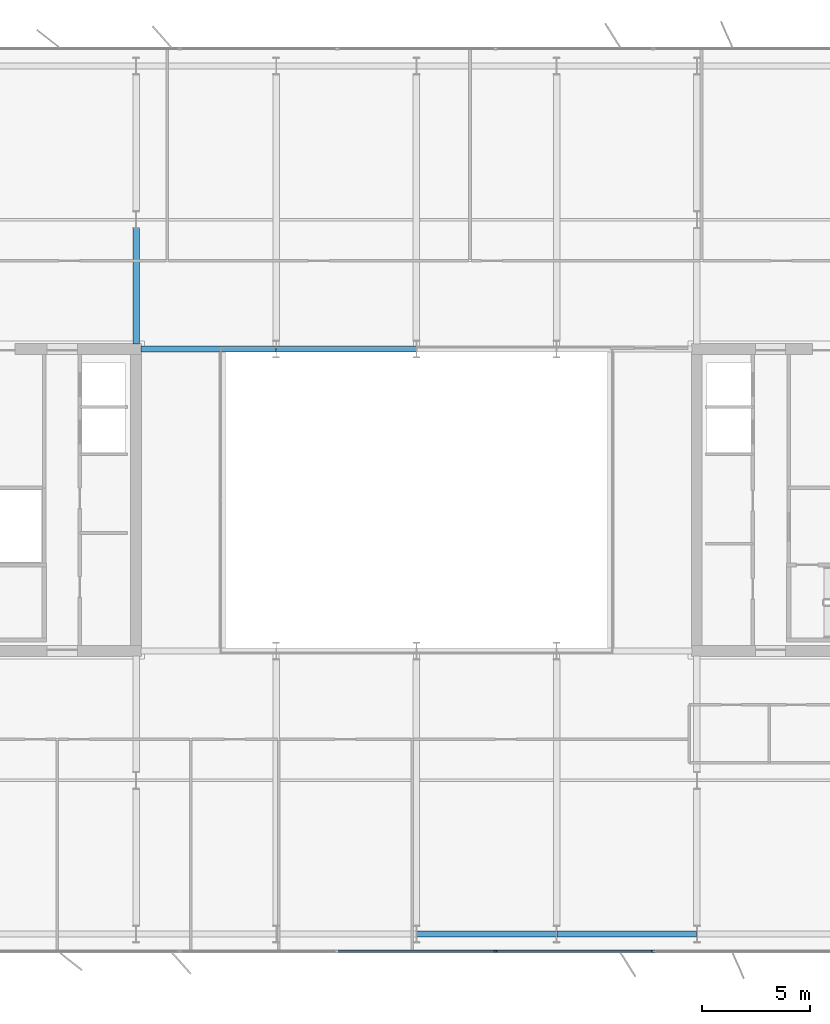
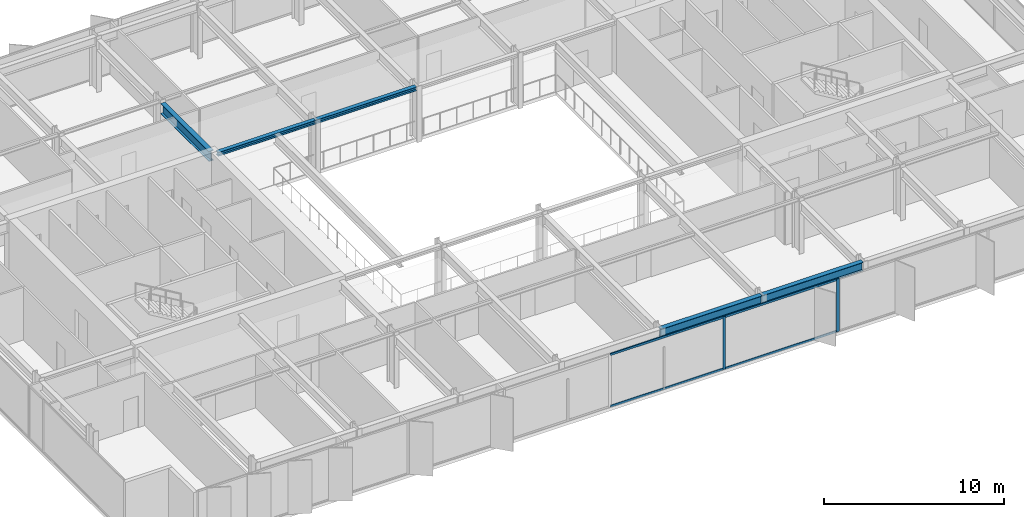
# One storey, part 6 of 23: 6 members, 5 beams, 1 element without a shape of its own.
"""IFC4 building model written with IfcOpenShell, lengths in metres."""

import ifcopenshell
import ifcopenshell.guid

model = None  # the IFC model being written
_history = None  # IfcOwnerHistory: only IFC2X3 demands one
_inside = {}  # id of a spatial element -> (the spatial element, [elements in it])
_under = {}  # id of a project, library or spatial element -> (it, [spatial elements below it])
_declared = {}  # id of a project -> (the project, [libraries it declares])
_typed = {}  # id of a type object -> (the type object, [elements of that type])
_made_of = {}  # id of a material, layer set ... -> (it, [elements and type objects made of it])


def new_model(schema):
    """Start an empty IFC model of exactly this schema.

    Asked for "IFC4X3", IfcOpenShell would pick the latest addendum, in which some entities
    have other attributes; the version numbers below select the first issue.
    IFC2X3 requires an IfcOwnerHistory on every rooted entity: one is made here for all.
    """
    global model, _history
    if schema == "IFC4X3":
        model = ifcopenshell.file(schema_version=(4, 3, 0, 0))
    else:
        model = ifcopenshell.file(schema=schema)
    _inside.clear()
    _under.clear()
    _declared.clear()
    _typed.clear()
    _made_of.clear()
    _history = None
    if model.schema == "IFC2X3":
        org = make("IfcOrganization", Name="unknown")
        user = make(
            "IfcPersonAndOrganization",
            ThePerson=make("IfcPerson", FamilyName="unknown"),
            TheOrganization=org,
        )
        app = make(
            "IfcApplication",
            ApplicationDeveloper=org,
            Version="unknown",
            ApplicationFullName="unknown",
            ApplicationIdentifier="unknown",
        )
        _history = make(
            "IfcOwnerHistory",
            OwningUser=user,
            OwningApplication=app,
            ChangeAction="ADDED",
            CreationDate=0,
        )
    return model


def make(cls, **values):
    """One entity of the class cls with the attributes given. An attribute that is None is left unset."""
    return model.create_entity(
        cls, **{name: value for name, value in values.items() if value is not None}
    )


def rooted(cls, **values):
    """An entity with a GlobalId (a new one), such as an element, a storey or a relation."""
    return make(cls, GlobalId=ifcopenshell.guid.new(), OwnerHistory=_history, **values)


def si_unit(unit_type, name, prefix=None):
    """IfcSIUnit, for example si_unit("LENGTHUNIT", "METRE", prefix="MILLI")."""
    return make("IfcSIUnit", UnitType=unit_type, Prefix=prefix, Name=name)


def assignment(units):
    """IfcUnitAssignment: the units of a project."""
    return None if units is None else make("IfcUnitAssignment", Units=units)


def point(xyz):
    """IfcCartesianPoint."""
    return None if xyz is None else make("IfcCartesianPoint", Coordinates=xyz)


def direction(xyz):
    """IfcDirection."""
    return None if xyz is None else make("IfcDirection", DirectionRatios=xyz)


def frame(location, z_axis=None, x_axis=None):
    """IfcAxis2Placement3D, a coordinate frame: its origin and axes. An axis left out is left unset."""
    return make(
        "IfcAxis2Placement3D",
        Location=point(location),
        Axis=direction(z_axis),
        RefDirection=direction(x_axis),
    )


def frame_2d(location, x_axis=None):
    """IfcAxis2Placement2D, a coordinate frame in the plane: its origin and x axis."""
    return make(
        "IfcAxis2Placement2D", Location=point(location), RefDirection=direction(x_axis)
    )


def origin():
    """The frame at (0, 0, 0) with its axes left unset."""
    return frame((0.0, 0.0, 0.0))


def origin_2d():
    """The frame at (0, 0) in the plane with its x axis left unset."""
    return frame_2d((0.0, 0.0))


def place(relative_to, where):
    """IfcLocalPlacement: puts the frame where relative to a parent placement (None: the world)."""
    return make(
        "IfcLocalPlacement", PlacementRelTo=relative_to, RelativePlacement=where
    )


def context(
    kind, dimensions, precision=None, world=None, true_north=None, identifier=None
):
    """IfcGeometricRepresentationContext, for example the 3D "Model" context."""
    return make(
        "IfcGeometricRepresentationContext",
        ContextIdentifier=identifier,
        ContextType=kind,
        CoordinateSpaceDimension=dimensions,
        Precision=precision,
        WorldCoordinateSystem=world,
        TrueNorth=true_north,
    )


def subcontext(parent, identifier, kind, view, scale=None):
    """IfcGeometricRepresentationSubContext, for example "Body" below "Model"."""
    return make(
        "IfcGeometricRepresentationSubContext",
        ContextIdentifier=identifier,
        ContextType=kind,
        ParentContext=parent,
        TargetScale=scale,
        TargetView=view,
    )


def project(units=None, contexts=None):
    """IfcProject with its units and contexts."""
    return rooted(
        "IfcProject",
        Name="project",
        RepresentationContexts=contexts,
        UnitsInContext=assignment(units),
    )


def spatial(cls, under=None, at=None, **own):
    """A site, building, storey or space (cls), placed at a placement, below another one or the project."""
    s = rooted(cls, ObjectPlacement=at, **own)
    if under is not None:
        _under.setdefault(under.id(), (under, []))[1].append(s)
    return s


def profile(cls, at=None, kind="AREA", **sizes):
    """A parametric profile (cls). Its sizes go by their IFC names, for example OverallWidth=200.0."""
    return make(cls, ProfileType=kind, Position=at, **sizes)


def rectangle(**sizes):
    """IfcRectangleProfileDef."""
    return profile("IfcRectangleProfileDef", **sizes)


def i_section(**sizes):
    """IfcIShapeProfileDef."""
    return profile("IfcIShapeProfileDef", **sizes)


def extrude(swept, where, along, depth):
    """IfcExtrudedAreaSolid: the profile swept, set in the frame where, extruded along a direction by depth."""
    return make(
        "IfcExtrudedAreaSolid",
        SweptArea=swept,
        Position=where,
        ExtrudedDirection=direction(along),
        Depth=depth,
    )


def shape(context_of_items, identifier, shape_type, items):
    """IfcShapeRepresentation: the items that make up one representation, for example the "Body"."""
    return make(
        "IfcShapeRepresentation",
        ContextOfItems=context_of_items,
        RepresentationIdentifier=identifier,
        RepresentationType=shape_type,
        Items=items,
    )


def material(Name=None, Category=None):
    """IfcMaterial."""
    return make("IfcMaterial", Name=Name, Category=Category)


def layer(
    of_material, thickness, ventilated=None, Name=None, Category=None, Priority=None
):
    """IfcMaterialLayer: one layer of a wall or slab, of a material (None: an air gap)."""
    return make(
        "IfcMaterialLayer",
        Material=of_material,
        LayerThickness=thickness,
        IsVentilated=ventilated,
        Name=Name,
        Category=Category,
        Priority=Priority,
    )


def layer_set(layers, Name=None):
    """IfcMaterialLayerSet."""
    return make("IfcMaterialLayerSet", MaterialLayers=layers, LayerSetName=Name)


def material_profile(
    of_material, cross_section, Name=None, Category=None, Priority=None
):
    """IfcMaterialProfile: a cross section and its material."""
    return make(
        "IfcMaterialProfile",
        Name=Name,
        Material=of_material,
        Profile=cross_section,
        Priority=Priority,
        Category=Category,
    )


def profile_set(profiles, Name=None, composite=None):
    """IfcMaterialProfileSet."""
    return make(
        "IfcMaterialProfileSet",
        Name=Name,
        MaterialProfiles=profiles,
        CompositeProfile=composite,
    )


def made_of(thing, what):
    """Note that an element or type object is made of a material, layer set ...; save() writes the relation."""
    if what is not None:
        _made_of.setdefault(what.id(), (what, []))[1].append(thing)
    return thing


def type_object(cls, material=None, **own):
    """A type object (cls), such as IfcWallType, which elements share."""
    return made_of(rooted(cls, **own), material)


def element(
    cls,
    number,
    at=None,
    inside=None,
    cuts=None,
    type_object=None,
    material=None,
    context=None,
    identifier="Body",
    shape_type=None,
    held_by="IfcProductDefinitionShape",
    body=None,
    shapes=None,
    **own,
):
    """One element of the class cls, such as IfcWall. Its Tag is "e" and its number.

    at: its placement. inside: the storey or other place that contains it. cuts: it is an
    opening in that element (IfcRelVoidsElement). A single representation is given by context,
    identifier, shape_type and body (its items); several are given by shapes. held_by: the class
    of the entity that holds the representations. save() writes the other relations.
    """
    e = rooted(cls, Tag="e%d" % number, ObjectPlacement=at, **own)
    if body is not None:
        shapes = [shape(context, identifier, shape_type, body)]
    if shapes is not None:
        e.Representation = make(held_by, Representations=shapes)
    if inside is not None:
        _inside.setdefault(inside.id(), (inside, []))[1].append(e)
    if cuts is not None:
        rooted(
            "IfcRelVoidsElement", RelatingBuildingElement=cuts, RelatedOpeningElement=e
        )
    if type_object is not None:
        _typed.setdefault(type_object.id(), (type_object, []))[1].append(e)
    return made_of(e, material)


def aggregate(whole, parts):
    """IfcRelAggregates: a whole, such as a stair, and the parts it consists of."""
    return rooted("IfcRelAggregates", RelatingObject=whole, RelatedObjects=parts)


def save(model, path):
    """Write the relations noted so far, then the file.

    IfcRelAggregates (storeys below a building ...), IfcRelContainedInSpatialStructure (elements
    in a storey), IfcRelDefinesByType, IfcRelAssociatesMaterial and IfcRelDeclares: one each for
    every whole, place, type object, material and project.
    """
    for whole, parts in _under.values():
        aggregate(whole, parts)
    for where, things in _inside.values():
        rooted(
            "IfcRelContainedInSpatialStructure",
            RelatedElements=things,
            RelatingStructure=where,
        )
    for kind, things in _typed.values():
        rooted("IfcRelDefinesByType", RelatedObjects=things, RelatingType=kind)
    for what, things in _made_of.values():
        rooted("IfcRelAssociatesMaterial", RelatedObjects=things, RelatingMaterial=what)
    for by, libraries in _declared.values():
        rooted("IfcRelDeclares", RelatingContext=by, RelatedDefinitions=libraries)
    model.write(path)


model = new_model("IFC4")

# Units and contexts
model_context = context("Model", 3, precision=1e-05, world=origin(), true_north=direction((0.0, 1.0)))
body_context = subcontext(model_context, "Body", "Model", "MODEL_VIEW")
ifc_project = project(units=[si_unit("LENGTHUNIT", "METRE"), si_unit("AREAUNIT", "SQUARE_METRE"), si_unit("VOLUMEUNIT", "CUBIC_METRE"), si_unit("PLANEANGLEUNIT", "RADIAN"), si_unit("MASSUNIT", "GRAM", prefix="KILO")], contexts=[model_context])

# Site, building, storey
site_placement = place(None, origin())
site = spatial("IfcSite", under=ifc_project, at=site_placement, CompositionType="ELEMENT")
building_placement = place(site_placement, origin())
building = spatial("IfcBuilding", under=site, at=building_placement, Name="Putna Gate Headquarters", CompositionType="ELEMENT")
storey_placement = place(building_placement, frame((0.0, 0.0, 213.800048828125)))
storey = spatial("IfcBuildingStorey", under=building, at=storey_placement, Name="L53", CompositionType="ELEMENT", Elevation=213.800048828125)

# Beams
ifc_material_1 = material(Name="Steel S355J2", Category="steel")
ifc_material_profile_1 = material_profile(ifc_material_1, i_section(OverallWidth=0.260009765625, OverallDepth=0.260009765625, WebThickness=0.010009765625, FlangeThickness=0.017578125, at=origin_2d()), Name="Steel S355J2")
ifc_profile_set_1 = profile_set([ifc_material_profile_1], Name="Steel S355J2")
beam_type_1 = type_object("IfcBeamType", Name="BM-ATRIUM-HEB260", PredefinedType="BEAM", material=ifc_profile_set_1)
beam_1_placement = place(storey_placement, frame((26.235107421875, 33.0, 3.449951171875), z_axis=(1.0, 0.0, 0.0), x_axis=(0.0, 1.0, 0.0)))
element("IfcBeam", 1, at=beam_1_placement, inside=storey, type_object=beam_type_1, Name="L53 Atrium Edge Beam AN1", PredefinedType="BEAM", context=body_context, shape_type="SweptSolid", body=[
    extrude(i_section(OverallWidth=0.260009765625, OverallDepth=0.260009765625, WebThickness=0.010009765625, FlangeThickness=0.017578125, at=origin_2d()), origin(), (0.0, 0.0, 1.0), 6.2587890625),
])
beam_2_placement = place(storey_placement, frame((32.506103515625, 33.0, 3.449951171875), z_axis=(1.0, 0.0, 0.0), x_axis=(0.0, 1.0, 0.0)))
element("IfcBeam", 2, at=beam_2_placement, inside=storey, type_object=beam_type_1, Name="L53 Atrium Edge Beam AN2", PredefinedType="BEAM", context=body_context, shape_type="SweptSolid", body=[
    extrude(i_section(OverallWidth=0.260009765625, OverallDepth=0.260009765625, WebThickness=0.010009765625, FlangeThickness=0.017578125, at=origin_2d()), origin(), (0.0, 0.0, 1.0), 6.48779296875),
])
ifc_material_profile_2 = material_profile(ifc_material_1, i_section(OverallWidth=0.300048828125, OverallDepth=0.699951171875, WebThickness=0.01708984375, FlangeThickness=0.031982421875, at=origin_2d()), Name="Steel S355J2")
ifc_profile_set_2 = profile_set([ifc_material_profile_2], Name="Steel S355J2")
beam_type_2 = type_object("IfcBeamType", Name="BM-GIRD-B-HEB700", PredefinedType="USERDEFINED", material=ifc_profile_set_2)
beam_3_placement = place(storey_placement, frame((26.0, 33.235107421875, 3.22998046875), z_axis=(0.0, 1.0, 0.0), x_axis=(-1.0, 0.0, 0.0)))
element("IfcBeam", 3, at=beam_3_placement, inside=storey, type_object=beam_type_2, Name="L53 North Primary Girder X26-1", ObjectType="GIRDER", PredefinedType="USERDEFINED", context=body_context, shape_type="SweptSolid", body=[
    extrude(i_section(OverallWidth=0.300048828125, OverallDepth=0.699951171875, WebThickness=0.01708984375, FlangeThickness=0.031982421875, at=origin_2d()), origin(), (0.0, 0.0, 1.0), 5.369873046875),
])
ifc_material_profile_3 = material_profile(ifc_material_1, i_section(OverallWidth=0.300048828125, OverallDepth=0.590087890625, WebThickness=0.012939453125, FlangeThickness=0.02490234375, at=origin_2d()), Name="Steel S355J2")
ifc_profile_set_3 = profile_set([ifc_material_profile_3], Name="Steel S355J2")
beam_type_3 = type_object("IfcBeamType", Name="BM-SPAN-Z4-HEA600", PredefinedType="SPANDREL", material=ifc_profile_set_3)
for number, where, z_axis, x_axis, name in (
    (4, (39.006103515625, 5.8798828125, 3.284912109375), (1.0, 0.0, 0.0), (0.0, 1.0, 0.0), "L53 S Perimeter Spandrel 5"),
    (5, (45.506103515625, 5.8798828125, 3.284912109375), (1.0, 0.0, 0.0), (0.0, 1.0, 0.0), "L53 S Perimeter Spandrel 6"),
):
    element("IfcBeam", number, at=place(storey_placement, frame(where, z_axis=z_axis, x_axis=x_axis)), inside=storey, type_object=beam_type_3, Name=name, PredefinedType="SPANDREL", context=body_context, shape_type="SweptSolid", body=[
        extrude(i_section(OverallWidth=0.300048828125, OverallDepth=0.590087890625, WebThickness=0.012939453125, FlangeThickness=0.02490234375, at=origin_2d()), origin(), (0.0, 0.0, 1.0), 6.48779296875),
    ])

# Curtain wall, members
ifc_material_2 = material(Name="Anodised bronze aluminium curtain wall", Category="aluminium")
ifc_layer = layer(ifc_material_2, 0.179931640625)
ifc_layer_set = layer_set([ifc_layer], Name="Anodised bronze aluminium curtain wall")
curtain_wall_type = type_object("IfcCurtainWallType", Name="CW-SYS-ATR", PredefinedType="USERDEFINED", material=ifc_layer_set)
curtain_wall_placement = place(storey_placement, origin())
curtain_wall = element("IfcCurtainWall", 6, at=curtain_wall_placement, inside=storey, type_object=curtain_wall_type, Name="L53 South Atrium Clear Glazing", ObjectType="ATRIUM GLAZING", PredefinedType="USERDEFINED")
ifc_material_3 = material(Name="Anodised bronze aluminium EN AW-6060", Category="aluminium")
ifc_material_profile_4 = material_profile(ifc_material_3, rectangle(XDim=0.070068359375, YDim=0.179931640625, at=origin_2d()), Name="Anodised bronze aluminium EN AW-6060")
ifc_profile_set_4 = profile_set([ifc_material_profile_4], Name="Anodised bronze aluminium EN AW-6060")
member_type_1 = type_object("IfcMemberType", Name="MULL-CWM-AT", PredefinedType="MULLION", material=ifc_profile_set_4)
member_1_placement = place(storey_placement, frame((42.666748046875, 5.080078125, 0.0), z_axis=(0.0, 0.0, 1.0), x_axis=(0.0, 1.0, 0.0)))
member_1 = element("IfcMember", 7, at=member_1_placement, type_object=member_type_1, Name="CWS-AT mullion 3", PredefinedType="MULLION", context=body_context, shape_type="SweptSolid", body=[
    extrude(rectangle(XDim=0.070068359375, YDim=0.179931640625, at=origin_2d()), origin(), (0.0, 0.0, 1.0), 3.579833984375),
])
member_2_placement = place(storey_placement, frame((49.965087890625, 5.080078125, 0.0), z_axis=(0.0, 0.0, 1.0), x_axis=(0.0, 1.0, 0.0)))
member_2 = element("IfcMember", 8, at=member_2_placement, type_object=member_type_1, Name="CWS-AT mullion 4", PredefinedType="MULLION", context=body_context, shape_type="SweptSolid", body=[
    extrude(rectangle(XDim=0.070068359375, YDim=0.179931640625, at=origin_2d()), origin(), (0.0, 0.0, 1.0), 3.579833984375),
])
ifc_material_profile_5 = material_profile(ifc_material_3, rectangle(XDim=0.070068359375, YDim=0.139892578125, at=origin_2d()), Name="Anodised bronze aluminium EN AW-6060")
ifc_profile_set_5 = profile_set([ifc_material_profile_5], Name="Anodised bronze aluminium EN AW-6060")
member_type_2 = type_object("IfcMemberType", Name="TRAN-CWT-AT", PredefinedType="USERDEFINED", material=ifc_profile_set_5)
member_3_placement = place(storey_placement, frame((35.368408203125, 5.080078125, 0.034912109375), z_axis=(1.0, 0.0, 0.0), x_axis=(0.0, 1.0, 0.0)))
member_3 = element("IfcMember", 9, at=member_3_placement, type_object=member_type_2, Name="CWS-AT transom 2.1", ObjectType="TRANSOM", PredefinedType="USERDEFINED", context=body_context, shape_type="SweptSolid", body=[
    extrude(rectangle(XDim=0.070068359375, YDim=0.139892578125, at=origin_2d()), origin(), (0.0, 0.0, 1.0), 7.26318359375),
])
member_4_placement = place(storey_placement, frame((35.368408203125, 5.080078125, 3.544921875), z_axis=(1.0, 0.0, 0.0), x_axis=(0.0, 1.0, 0.0)))
member_4 = element("IfcMember", 10, at=member_4_placement, type_object=member_type_2, Name="CWS-AT transom 2.2", ObjectType="TRANSOM", PredefinedType="USERDEFINED", context=body_context, shape_type="SweptSolid", body=[
    extrude(rectangle(XDim=0.070068359375, YDim=0.139892578125, at=origin_2d()), origin(), (0.0, 0.0, 1.0), 7.26318359375),
])
member_5_placement = place(storey_placement, frame((42.70166015625, 5.080078125, 0.034912109375), z_axis=(1.0, 0.0, 0.0), x_axis=(0.0, 1.0, 0.0)))
member_5 = element("IfcMember", 11, at=member_5_placement, type_object=member_type_2, Name="CWS-AT transom 3.1", ObjectType="TRANSOM", PredefinedType="USERDEFINED", context=body_context, shape_type="SweptSolid", body=[
    extrude(rectangle(XDim=0.070068359375, YDim=0.139892578125, at=origin_2d()), origin(), (0.0, 0.0, 1.0), 7.228271484375),
])
member_6_placement = place(storey_placement, frame((42.70166015625, 5.080078125, 3.544921875), z_axis=(1.0, 0.0, 0.0), x_axis=(0.0, 1.0, 0.0)))
member_6 = element("IfcMember", 12, at=member_6_placement, type_object=member_type_2, Name="CWS-AT transom 3.2", ObjectType="TRANSOM", PredefinedType="USERDEFINED", context=body_context, shape_type="SweptSolid", body=[
    extrude(rectangle(XDim=0.070068359375, YDim=0.139892578125, at=origin_2d()), origin(), (0.0, 0.0, 1.0), 7.228271484375),
])
aggregate(curtain_wall, [member_1, member_2, member_3, member_4, member_5, member_6])

save(model, "model.ifc")
